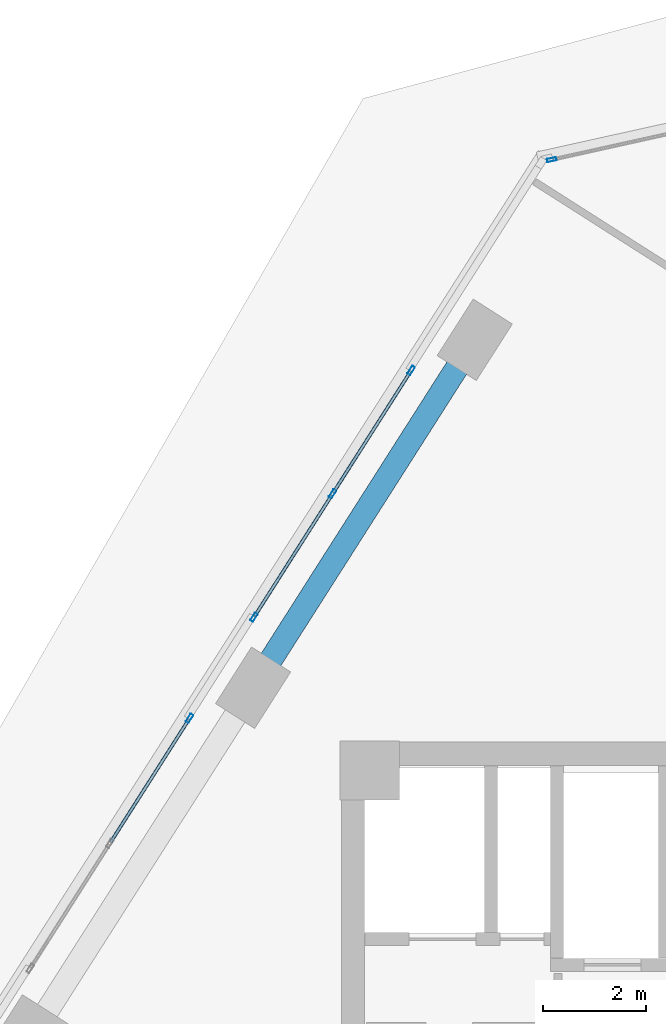
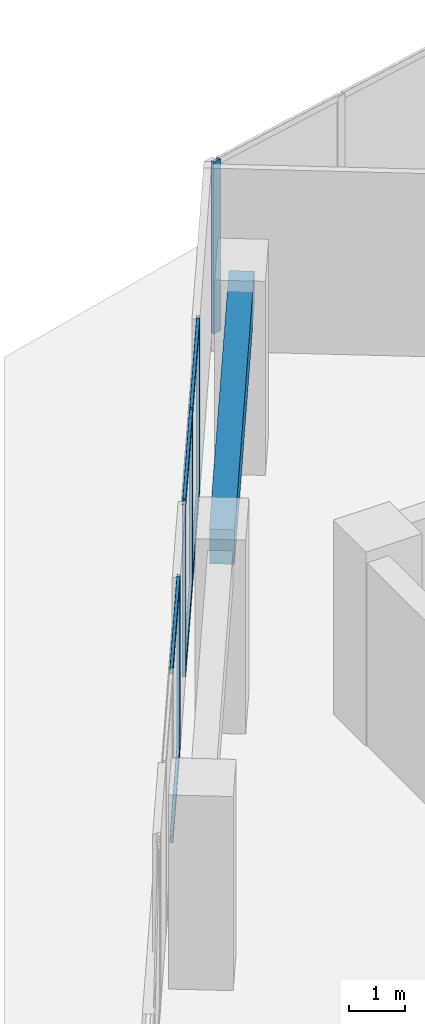
# One storey, part 12 of 23: 11 members, 1 beam, 3 elements without a shape of their own.
"""IFC4 building model written with IfcOpenShell, lengths in metres."""

from ifc_helpers import new_model, si_unit, direction, frame, origin, origin_2d, place, context, subcontext, project, spatial, rectangle, hollow_rectangle, extrude, source, transform, mapped, material, material_profile, profile_set, type_object, element, aggregate, save


model = new_model("IFC4")

# Units and contexts
model_context = context("Model", 3, precision=1e-05, world=origin(), true_north=direction((0.0, 1.0)))
body_context = subcontext(model_context, "Body", "Model", "MODEL_VIEW")
ifc_project = project(units=[si_unit("LENGTHUNIT", "METRE"), si_unit("AREAUNIT", "SQUARE_METRE"), si_unit("VOLUMEUNIT", "CUBIC_METRE"), si_unit("PLANEANGLEUNIT", "RADIAN"), si_unit("MASSUNIT", "GRAM", prefix="KILO")], contexts=[model_context])

# Site, building, storey
site_placement = place(None, origin())
site = spatial("IfcSite", under=ifc_project, at=site_placement, CompositionType="ELEMENT")
building_placement = place(site_placement, origin())
building = spatial("IfcBuilding", under=site, at=building_placement, Name="Torre Montelarca", CompositionType="ELEMENT")
storey_placement = place(building_placement, frame((0.0, 0.0, 187.60009765625)))
storey = spatial("IfcBuildingStorey", under=building, at=storey_placement, Name="L42", CompositionType="ELEMENT", Elevation=187.60009765625)

# Beam
ifc_material_1 = material(Name="Concrete C55/67", Category="concrete")
ifc_material_profile_1 = material_profile(ifc_material_1, rectangle(XDim=0.449951171875, YDim=0.75, at=origin_2d()), Name="RCB450X750", Category="concrete")
ifc_profile_set_1 = profile_set([ifc_material_profile_1], Name="Concrete C55/67")
beam_type = type_object("IfcBeamType", Name="BM-SP-RC750-EXT", PredefinedType="SPANDREL", material=ifc_profile_set_1)
shared_shape_1 = source(origin(), body_context, "Body", "SweptSolid", [
    extrude(rectangle(XDim=0.449951171875, YDim=0.75, at=origin_2d()), origin(), (0.0, 0.0, 1.0), 8.0),
])
beam_placement = place(storey_placement, frame((7.288818359375, 41.053466796875, 3.5849609375), z_axis=(0.537319715065, 0.843378636084, 0.0), x_axis=(-0.843378636084, 0.537319715065, 0.0)))
element("IfcBeam", 1, at=beam_placement, inside=storey, type_object=beam_type, Name="L42 Grid Girder Y 32.0-40.0 at X=4.7", PredefinedType="SPANDREL", context=body_context, shape_type="MappedRepresentation", body=[
    mapped(shared_shape_1, transform((0.0, 0.0, 0.0), scale=1.0)),
])

# Curtain wall, members
ifc_material_2 = material(Name="Insulated low-E laminated glass", Category="glass")
curtain_wall_type = type_object("IfcCurtainWallType", Name="CW-SYS-Z2", PredefinedType="USERDEFINED", material=ifc_material_2)
curtain_wall_1_placement = place(storey_placement, origin())
curtain_wall_1 = element("IfcCurtainWall", 2, at=curtain_wall_1_placement, inside=storey, type_object=curtain_wall_type, Name="L42 Curtain Wall Run CW-T3-L42-E10-B1", ObjectType="UNITISED GLAZING", PredefinedType="USERDEFINED")
ifc_material_3 = material(Name="Anodised aluminium AA 6063-T6", Category="aluminium")
ifc_material_profile_2 = material_profile(ifc_material_3, hollow_rectangle(XDim=0.06494140625, YDim=0.139892578125, WallThickness=0.00390625, InnerFilletRadius=0.00390625, OuterFilletRadius=0.008056640625, at=origin_2d()), Name="ALU65X140X4", Category="aluminium")
ifc_profile_set_2 = profile_set([ifc_material_profile_2], Name="Anodised aluminium AA 6063-T6")
member_type_1 = type_object("IfcMemberType", Name="CWT-ALU140", PredefinedType="USERDEFINED", material=ifc_profile_set_2)
shared_shape_2 = source(origin(), body_context, "Body", "SweptSolid", [
    extrude(hollow_rectangle(XDim=0.06494140625, YDim=0.139892578125, WallThickness=0.00390625, InnerFilletRadius=0.00390625, OuterFilletRadius=0.008056640625, at=origin_2d()), origin(), (0.0, 0.0, 1.0), 2.7724609375),
])
member_1_placement = place(storey_placement, frame((10.337890625, 47.1796875, 0.032470703125), z_axis=(-0.537245804769, -0.843425720059, 0.0), x_axis=(0.843425720059, -0.537245804769, 0.0)))
member_1 = element("IfcMember", 3, at=member_1_placement, type_object=member_type_1, Name="CW transom 1.1", ObjectType="TRANSOM", PredefinedType="USERDEFINED", context=body_context, shape_type="MappedRepresentation", body=[
    mapped(shared_shape_2, transform((0.0, 0.0, 0.0), scale=1.0)),
])
member_2_placement = place(storey_placement, frame((10.337890625, 47.1796875, 3.6875), z_axis=(-0.537245804769, -0.843425720059, 0.0), x_axis=(0.843425720059, -0.537245804769, 0.0)))
member_2 = element("IfcMember", 4, at=member_2_placement, type_object=member_type_1, Name="CW transom 1.2", ObjectType="TRANSOM", PredefinedType="USERDEFINED", context=body_context, shape_type="MappedRepresentation", body=[
    mapped(shared_shape_2, transform((0.0, 0.0, 0.0), scale=1.0)),
])
member_3_placement = place(storey_placement, frame((8.8134765625, 44.786376953125, 0.032470703125), z_axis=(-0.537348347318, -0.843360393684, 0.0), x_axis=(0.843360393684, -0.537348347318, 0.0)))
member_3 = element("IfcMember", 5, at=member_3_placement, type_object=member_type_1, Name="CW transom 2.1", ObjectType="TRANSOM", PredefinedType="USERDEFINED", context=body_context, shape_type="MappedRepresentation", body=[
    mapped(shared_shape_2, transform((0.0, 0.0, 0.0), scale=1.0)),
])
member_4_placement = place(storey_placement, frame((8.8134765625, 44.786376953125, 3.6875), z_axis=(-0.537348347318, -0.843360393684, 0.0), x_axis=(0.843360393684, -0.537348347318, 0.0)))
member_4 = element("IfcMember", 6, at=member_4_placement, type_object=member_type_1, Name="CW transom 2.2", ObjectType="TRANSOM", PredefinedType="USERDEFINED", context=body_context, shape_type="MappedRepresentation", body=[
    mapped(shared_shape_2, transform((0.0, 0.0, 0.0), scale=1.0)),
])

# Curtain wall, member
curtain_wall_2_placement = place(storey_placement, origin())
curtain_wall_2 = element("IfcCurtainWall", 7, at=curtain_wall_2_placement, inside=storey, type_object=curtain_wall_type, Name="L42 Curtain Wall Run CW-T3-L42-E09-B1", ObjectType="UNITISED GLAZING", PredefinedType="USERDEFINED")
ifc_material_profile_3 = material_profile(ifc_material_3, hollow_rectangle(XDim=0.06494140625, YDim=0.179931640625, WallThickness=0.00390625, InnerFilletRadius=0.00390625, OuterFilletRadius=0.008056640625, at=origin_2d()), Name="ALU65X180X4", Category="aluminium")
ifc_profile_set_3 = profile_set([ifc_material_profile_3], Name="Anodised aluminium AA 6063-T6")
member_type_2 = type_object("IfcMemberType", Name="CWM-ALU180", PredefinedType="MULLION", material=ifc_profile_set_3)
shared_shape_3 = source(origin(), body_context, "Body", "SweptSolid", [
    extrude(hollow_rectangle(XDim=0.06494140625, YDim=0.179931640625, WallThickness=0.00390625, InnerFilletRadius=0.00390625, OuterFilletRadius=0.008056640625, at=origin_2d()), origin(), (0.0, 0.0, 1.0), 3.719970703125),
])
member_5_placement = place(storey_placement, frame((13.080078125, 51.2939453125, 0.0), z_axis=(0.0, 0.0, 1.0), x_axis=(0.216447743923, -0.97629420471, 0.0)))
member_5 = element("IfcMember", 8, at=member_5_placement, type_object=member_type_2, Name="CW mullion 3", PredefinedType="MULLION", context=body_context, shape_type="MappedRepresentation", body=[
    mapped(shared_shape_3, transform((0.0, 0.0, 0.0), scale=1.0)),
])
aggregate(curtain_wall_2, [member_5])

# Member
member_6_placement = place(storey_placement, frame((10.35546875, 47.20703125, 0.0), z_axis=(0.0, 0.0, 1.0), x_axis=(0.843388061525, -0.537304920578, 0.0)))
member_6 = element("IfcMember", 9, at=member_6_placement, type_object=member_type_2, Name="CW mullion 1", PredefinedType="MULLION", context=body_context, shape_type="MappedRepresentation", body=[
    mapped(shared_shape_3, transform((0.0, 0.0, 0.0), scale=1.0)),
])

member_7_placement = place(storey_placement, frame((8.830810546875, 44.81396484375, 0.0), z_axis=(0.0, 0.0, 1.0), x_axis=(0.843388061525, -0.537304920578, 0.0)))
member_7 = element("IfcMember", 10, at=member_7_placement, type_object=member_type_2, Name="CW mullion 2", PredefinedType="MULLION", context=body_context, shape_type="MappedRepresentation", body=[
    mapped(shared_shape_3, transform((0.0, 0.0, 0.0), scale=1.0)),
])

member_8_placement = place(storey_placement, frame((7.30615234375, 42.4208984375, 0.0), z_axis=(0.0, 0.0, 1.0), x_axis=(0.843388061525, -0.537304920578, 0.0)))
member_8 = element("IfcMember", 11, at=member_8_placement, type_object=member_type_2, Name="CW mullion 3", PredefinedType="MULLION", context=body_context, shape_type="MappedRepresentation", body=[
    mapped(shared_shape_3, transform((0.0, 0.0, 0.0), scale=1.0)),
])

aggregate(curtain_wall_1, [member_6, member_7, member_8, member_1, member_2, member_3, member_4])

# Curtain wall, members
curtain_wall_3_placement = place(storey_placement, origin())
curtain_wall_3 = element("IfcCurtainWall", 12, at=curtain_wall_3_placement, inside=storey, type_object=curtain_wall_type, Name="L42 Curtain Wall Run CW-T3-L42-E10-B2", ObjectType="UNITISED GLAZING", PredefinedType="USERDEFINED")
member_9_placement = place(storey_placement, frame((6.05712890625, 40.4599609375, 0.0), z_axis=(0.0, 0.0, 1.0), x_axis=(0.843390174023, -0.537301604651, 0.0)))
member_9 = element("IfcMember", 13, at=member_9_placement, type_object=member_type_2, Name="CW mullion 1", PredefinedType="MULLION", context=body_context, shape_type="MappedRepresentation", body=[
    mapped(shared_shape_3, transform((0.0, 0.0, 0.0), scale=1.0)),
])
shared_shape_4 = source(origin(), body_context, "Body", "SweptSolid", [
    extrude(hollow_rectangle(XDim=0.06494140625, YDim=0.139892578125, WallThickness=0.00390625, InnerFilletRadius=0.00390625, OuterFilletRadius=0.008056640625, at=origin_2d()), origin(), (0.0, 0.0, 1.0), 2.809814453125),
])
member_10_placement = place(storey_placement, frame((6.03955078125, 40.432373046875, 0.032470703125), z_axis=(-0.537297073119, -0.843393060926, 0.0), x_axis=(0.843393060926, -0.537297073119, 0.0)))
member_10 = element("IfcMember", 14, at=member_10_placement, type_object=member_type_1, Name="CW transom 1.1", ObjectType="TRANSOM", PredefinedType="USERDEFINED", context=body_context, shape_type="MappedRepresentation", body=[
    mapped(shared_shape_4, transform((0.0, 0.0, 0.0), scale=1.0)),
])
member_11_placement = place(storey_placement, frame((6.03955078125, 40.432373046875, 3.6875), z_axis=(-0.537297073119, -0.843393060926, 0.0), x_axis=(0.843393060926, -0.537297073119, 0.0)))
member_11 = element("IfcMember", 15, at=member_11_placement, type_object=member_type_1, Name="CW transom 1.2", ObjectType="TRANSOM", PredefinedType="USERDEFINED", context=body_context, shape_type="MappedRepresentation", body=[
    mapped(shared_shape_4, transform((0.0, 0.0, 0.0), scale=1.0)),
])
aggregate(curtain_wall_3, [member_9, member_10, member_11])

save(model, "model.ifc")
